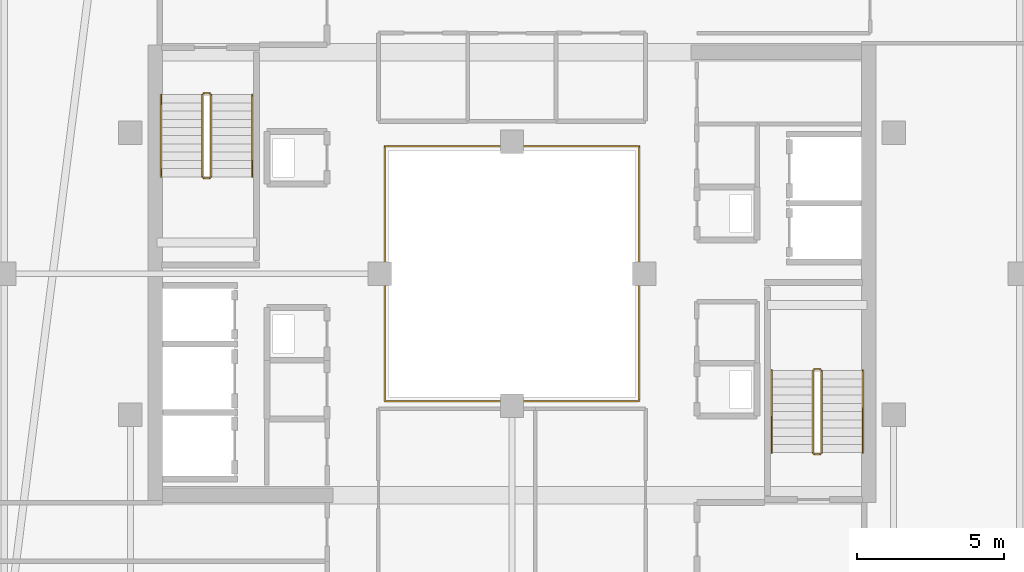
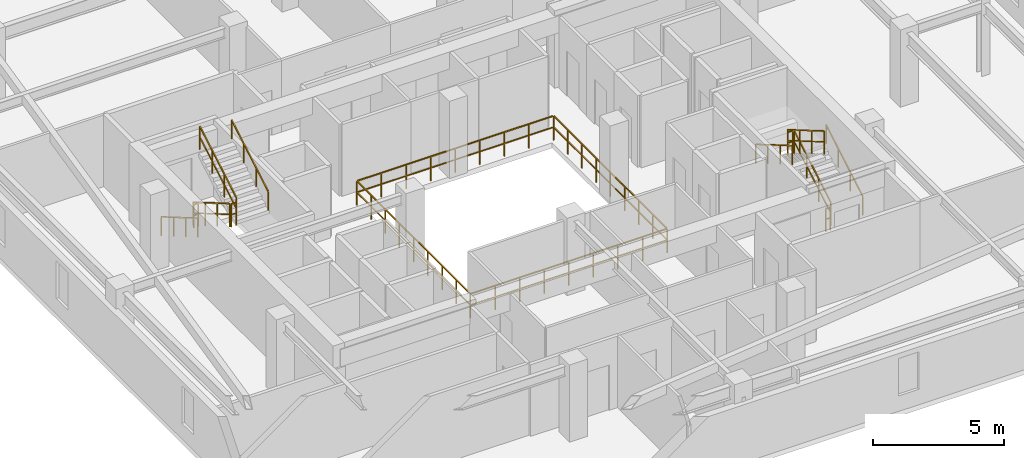
# One storey, part 34 of 35: 13 railings.
"""IFC4 building model written with IfcOpenShell, lengths in metres."""

from ifc_helpers import new_model, si_unit, direction, frame, origin, origin_2d, place, context, subcontext, project, spatial, rectangle, extrude, material, type_object, element, save


model = new_model("IFC4")

# Units and contexts
model_context = context("Model", 3, precision=1e-05, world=origin(), true_north=direction((0.0, 1.0)))
body_context = subcontext(model_context, "Body", "Model", "MODEL_VIEW")
ifc_project = project(units=[si_unit("LENGTHUNIT", "METRE"), si_unit("AREAUNIT", "SQUARE_METRE"), si_unit("VOLUMEUNIT", "CUBIC_METRE"), si_unit("PLANEANGLEUNIT", "RADIAN"), si_unit("MASSUNIT", "GRAM", prefix="KILO")], contexts=[model_context])

# Site, building, storey
site_placement = place(None, origin())
site = spatial("IfcSite", under=ifc_project, at=site_placement, CompositionType="ELEMENT")
building_placement = place(site_placement, origin())
building = spatial("IfcBuilding", under=site, at=building_placement, Name="Thornwick Lancets Civic Towers", CompositionType="ELEMENT")
storey_placement = place(building_placement, frame((0.0, 0.0, 272.699951171875)))
storey = spatial("IfcBuildingStorey", under=building, at=storey_placement, Name="L73", CompositionType="ELEMENT", Elevation=272.699951171875)

# Railings
ifc_material_1 = material(Name="Laminated glass and bronze steel S355", Category="steel")
railing_type_1 = type_object("IfcRailingType", Name="RAIL_ATRIUM_GUARD", PredefinedType="BALUSTRADE", material=ifc_material_1)
railing_1_placement = place(storey_placement, frame((84.159912109375, 22.659912109375, 0.0)))
element("IfcRailing", 1, at=railing_1_placement, inside=storey, type_object=railing_type_1, Name="L73 Tower B Central Atrium Guard Balustrade", PredefinedType="BALUSTRADE", context=body_context, shape_type="SweptSolid", body=[
    extrude(rectangle(XDim=0.048095703125, YDim=0.048095703125, at=origin_2d()), frame((0.0, 0.0, 1.1259765625), z_axis=(1.0, 0.0, 0.0), x_axis=(0.0, 1.0, 0.0)), (0.0, 0.0, 1.0), 8.64892578125),
    extrude(rectangle(XDim=0.0419921875, YDim=0.0419921875, at=origin_2d()), frame((0.03759765625, 0.0, 0.597900390625), z_axis=(1.0, 0.0, 0.0), x_axis=(0.0, 1.0, 0.0)), (0.0, 0.0, 1.0), 1.010009765625),
    extrude(rectangle(XDim=0.0419921875, YDim=0.0419921875, at=origin_2d()), frame((1.12255859375, 0.0, 0.597900390625), z_axis=(1.0, 0.0, 0.0), x_axis=(0.0, 1.0, 0.0)), (0.0, 0.0, 1.0), 1.010009765625),
    extrude(rectangle(XDim=0.0419921875, YDim=0.0419921875, at=origin_2d()), frame((2.20751953125, 0.0, 0.597900390625), z_axis=(1.0, 0.0, 0.0), x_axis=(0.0, 1.0, 0.0)), (0.0, 0.0, 1.0), 1.010009765625),
    extrude(rectangle(XDim=0.0419921875, YDim=0.0419921875, at=origin_2d()), frame((3.29248046875, 0.0, 0.597900390625), z_axis=(1.0, 0.0, 0.0), x_axis=(0.0, 1.0, 0.0)), (0.0, 0.0, 1.0), 1.010009765625),
    extrude(rectangle(XDim=0.0419921875, YDim=0.0419921875, at=origin_2d()), frame((4.377685546875, 0.0, 0.597900390625), z_axis=(1.0, 0.0, 0.0), x_axis=(0.0, 1.0, 0.0)), (0.0, 0.0, 1.0), 1.010009765625),
    extrude(rectangle(XDim=0.0419921875, YDim=0.0419921875, at=origin_2d()), frame((5.462646484375, 0.0, 0.597900390625), z_axis=(1.0, 0.0, 0.0), x_axis=(0.0, 1.0, 0.0)), (0.0, 0.0, 1.0), 1.010009765625),
    extrude(rectangle(XDim=0.0419921875, YDim=0.0419921875, at=origin_2d()), frame((6.547607421875, 0.0, 0.597900390625), z_axis=(1.0, 0.0, 0.0), x_axis=(0.0, 1.0, 0.0)), (0.0, 0.0, 1.0), 1.010009765625),
    extrude(rectangle(XDim=0.0419921875, YDim=0.0419921875, at=origin_2d()), frame((7.632568359375, 0.0, 0.597900390625), z_axis=(1.0, 0.0, 0.0), x_axis=(0.0, 1.0, 0.0)), (0.0, 0.0, 1.0), 1.010009765625),
    extrude(rectangle(XDim=0.048095703125, YDim=0.048095703125, at=origin_2d()), frame((8.68017578125, 0.03125, 1.1259765625), z_axis=(0.0, 1.0, 0.0), x_axis=(-1.0, 0.0, 0.0)), (0.0, 0.0, 1.0), 8.61767578125),
    extrude(rectangle(XDim=0.0419921875, YDim=0.0419921875, at=origin_2d()), frame((8.68017578125, 0.03759765625, 0.597900390625), z_axis=(0.0, 1.0, 0.0), x_axis=(-1.0, 0.0, 0.0)), (0.0, 0.0, 1.0), 1.010009765625),
    extrude(rectangle(XDim=0.0419921875, YDim=0.0419921875, at=origin_2d()), frame((8.68017578125, 1.12255859375, 0.597900390625), z_axis=(0.0, 1.0, 0.0), x_axis=(-1.0, 0.0, 0.0)), (0.0, 0.0, 1.0), 1.010009765625),
    extrude(rectangle(XDim=0.0419921875, YDim=0.0419921875, at=origin_2d()), frame((8.68017578125, 2.20751953125, 0.597900390625), z_axis=(0.0, 1.0, 0.0), x_axis=(-1.0, 0.0, 0.0)), (0.0, 0.0, 1.0), 1.010009765625),
    extrude(rectangle(XDim=0.0419921875, YDim=0.0419921875, at=origin_2d()), frame((8.68017578125, 3.29248046875, 0.597900390625), z_axis=(0.0, 1.0, 0.0), x_axis=(-1.0, 0.0, 0.0)), (0.0, 0.0, 1.0), 1.010009765625),
    extrude(rectangle(XDim=0.0419921875, YDim=0.0419921875, at=origin_2d()), frame((8.68017578125, 4.377685546875, 0.597900390625), z_axis=(0.0, 1.0, 0.0), x_axis=(-1.0, 0.0, 0.0)), (0.0, 0.0, 1.0), 1.010009765625),
    extrude(rectangle(XDim=0.0419921875, YDim=0.0419921875, at=origin_2d()), frame((8.68017578125, 5.462646484375, 0.597900390625), z_axis=(0.0, 1.0, 0.0), x_axis=(-1.0, 0.0, 0.0)), (0.0, 0.0, 1.0), 1.010009765625),
    extrude(rectangle(XDim=0.0419921875, YDim=0.0419921875, at=origin_2d()), frame((8.68017578125, 6.547607421875, 0.597900390625), z_axis=(0.0, 1.0, 0.0), x_axis=(-1.0, 0.0, 0.0)), (0.0, 0.0, 1.0), 1.010009765625),
    extrude(rectangle(XDim=0.0419921875, YDim=0.0419921875, at=origin_2d()), frame((8.68017578125, 7.632568359375, 0.597900390625), z_axis=(0.0, 1.0, 0.0), x_axis=(-1.0, 0.0, 0.0)), (0.0, 0.0, 1.0), 1.010009765625),
    extrude(rectangle(XDim=0.048095703125, YDim=0.048095703125, at=origin_2d()), frame((8.64892578125, 8.68017578125, 1.1259765625), z_axis=(-1.0, 0.0, 0.0), x_axis=(0.0, -1.0, 0.0)), (0.0, 0.0, 1.0), 8.61767578125),
    extrude(rectangle(XDim=0.0419921875, YDim=0.0419921875, at=origin_2d()), frame((8.642578125, 8.68017578125, 0.597900390625), z_axis=(-1.0, 0.0, 0.0), x_axis=(0.0, -1.0, 0.0)), (0.0, 0.0, 1.0), 1.010009765625),
    extrude(rectangle(XDim=0.0419921875, YDim=0.0419921875, at=origin_2d()), frame((7.5576171875, 8.68017578125, 0.597900390625), z_axis=(-1.0, 0.0, 0.0), x_axis=(0.0, -1.0, 0.0)), (0.0, 0.0, 1.0), 1.010009765625),
    extrude(rectangle(XDim=0.0419921875, YDim=0.0419921875, at=origin_2d()), frame((6.47265625, 8.68017578125, 0.597900390625), z_axis=(-1.0, 0.0, 0.0), x_axis=(0.0, -1.0, 0.0)), (0.0, 0.0, 1.0), 1.010009765625),
    extrude(rectangle(XDim=0.0419921875, YDim=0.0419921875, at=origin_2d()), frame((5.3876953125, 8.68017578125, 0.597900390625), z_axis=(-1.0, 0.0, 0.0), x_axis=(0.0, -1.0, 0.0)), (0.0, 0.0, 1.0), 1.010009765625),
    extrude(rectangle(XDim=0.0419921875, YDim=0.0419921875, at=origin_2d()), frame((4.302490234375, 8.68017578125, 0.597900390625), z_axis=(-1.0, 0.0, 0.0), x_axis=(0.0, -1.0, 0.0)), (0.0, 0.0, 1.0), 1.010009765625),
    extrude(rectangle(XDim=0.0419921875, YDim=0.0419921875, at=origin_2d()), frame((3.217529296875, 8.68017578125, 0.597900390625), z_axis=(-1.0, 0.0, 0.0), x_axis=(0.0, -1.0, 0.0)), (0.0, 0.0, 1.0), 1.010009765625),
    extrude(rectangle(XDim=0.0419921875, YDim=0.0419921875, at=origin_2d()), frame((2.132568359375, 8.68017578125, 0.597900390625), z_axis=(-1.0, 0.0, 0.0), x_axis=(0.0, -1.0, 0.0)), (0.0, 0.0, 1.0), 1.010009765625),
    extrude(rectangle(XDim=0.0419921875, YDim=0.0419921875, at=origin_2d()), frame((1.047607421875, 8.68017578125, 0.597900390625), z_axis=(-1.0, 0.0, 0.0), x_axis=(0.0, -1.0, 0.0)), (0.0, 0.0, 1.0), 1.010009765625),
    extrude(rectangle(XDim=0.048095703125, YDim=0.048095703125, at=origin_2d()), frame((0.0, 8.64892578125, 1.1259765625), z_axis=(0.0, -1.0, 0.0), x_axis=(1.0, 0.0, 0.0)), (0.0, 0.0, 1.0), 8.64892578125),
    extrude(rectangle(XDim=0.0419921875, YDim=0.0419921875, at=origin_2d()), frame((0.0, 8.642578125, 0.597900390625), z_axis=(0.0, -1.0, 0.0), x_axis=(1.0, 0.0, 0.0)), (0.0, 0.0, 1.0), 1.010009765625),
    extrude(rectangle(XDim=0.0419921875, YDim=0.0419921875, at=origin_2d()), frame((0.0, 7.5576171875, 0.597900390625), z_axis=(0.0, -1.0, 0.0), x_axis=(1.0, 0.0, 0.0)), (0.0, 0.0, 1.0), 1.010009765625),
    extrude(rectangle(XDim=0.0419921875, YDim=0.0419921875, at=origin_2d()), frame((0.0, 6.47265625, 0.597900390625), z_axis=(0.0, -1.0, 0.0), x_axis=(1.0, 0.0, 0.0)), (0.0, 0.0, 1.0), 1.010009765625),
    extrude(rectangle(XDim=0.0419921875, YDim=0.0419921875, at=origin_2d()), frame((0.0, 5.3876953125, 0.597900390625), z_axis=(0.0, -1.0, 0.0), x_axis=(1.0, 0.0, 0.0)), (0.0, 0.0, 1.0), 1.010009765625),
    extrude(rectangle(XDim=0.0419921875, YDim=0.0419921875, at=origin_2d()), frame((0.0, 4.302490234375, 0.597900390625), z_axis=(0.0, -1.0, 0.0), x_axis=(1.0, 0.0, 0.0)), (0.0, 0.0, 1.0), 1.010009765625),
    extrude(rectangle(XDim=0.0419921875, YDim=0.0419921875, at=origin_2d()), frame((0.0, 3.217529296875, 0.597900390625), z_axis=(0.0, -1.0, 0.0), x_axis=(1.0, 0.0, 0.0)), (0.0, 0.0, 1.0), 1.010009765625),
    extrude(rectangle(XDim=0.0419921875, YDim=0.0419921875, at=origin_2d()), frame((0.0, 2.132568359375, 0.597900390625), z_axis=(0.0, -1.0, 0.0), x_axis=(1.0, 0.0, 0.0)), (0.0, 0.0, 1.0), 1.010009765625),
    extrude(rectangle(XDim=0.0419921875, YDim=0.0419921875, at=origin_2d()), frame((0.0, 1.047607421875, 0.597900390625), z_axis=(0.0, -1.0, 0.0), x_axis=(1.0, 0.0, 0.0)), (0.0, 0.0, 1.0), 1.010009765625),
    extrude(rectangle(XDim=0.0419921875, YDim=0.0419921875, at=origin_2d()), origin(), (0.0, 0.0, 1.0), 1.095703125),
    extrude(rectangle(XDim=0.0419921875, YDim=0.0419921875, at=origin_2d()), frame((1.0849609375, 0.0, 0.0)), (0.0, 0.0, 1.0), 1.095703125),
    extrude(rectangle(XDim=0.0419921875, YDim=0.0419921875, at=origin_2d()), frame((2.169921875, 0.0, 0.0)), (0.0, 0.0, 1.0), 1.095703125),
    extrude(rectangle(XDim=0.0419921875, YDim=0.0419921875, at=origin_2d()), frame((3.255126953125, 0.0, 0.0)), (0.0, 0.0, 1.0), 1.095703125),
    extrude(rectangle(XDim=0.0419921875, YDim=0.0419921875, at=origin_2d()), frame((4.340087890625, 0.0, 0.0)), (0.0, 0.0, 1.0), 1.095703125),
    extrude(rectangle(XDim=0.0419921875, YDim=0.0419921875, at=origin_2d()), frame((5.425048828125, 0.0, 0.0)), (0.0, 0.0, 1.0), 1.095703125),
    extrude(rectangle(XDim=0.0419921875, YDim=0.0419921875, at=origin_2d()), frame((6.51025390625, 0.0, 0.0)), (0.0, 0.0, 1.0), 1.095703125),
    extrude(rectangle(XDim=0.0419921875, YDim=0.0419921875, at=origin_2d()), frame((7.59521484375, 0.0, 0.0)), (0.0, 0.0, 1.0), 1.095703125),
    extrude(rectangle(XDim=0.0419921875, YDim=0.0419921875, at=origin_2d()), frame((8.68017578125, 0.0, 0.0)), (0.0, 0.0, 1.0), 1.095703125),
    extrude(rectangle(XDim=0.0419921875, YDim=0.0419921875, at=origin_2d()), frame((8.68017578125, 1.0849609375, 0.0)), (0.0, 0.0, 1.0), 1.095703125),
    extrude(rectangle(XDim=0.0419921875, YDim=0.0419921875, at=origin_2d()), frame((8.68017578125, 2.169921875, 0.0)), (0.0, 0.0, 1.0), 1.095703125),
    extrude(rectangle(XDim=0.0419921875, YDim=0.0419921875, at=origin_2d()), frame((8.68017578125, 3.255126953125, 0.0)), (0.0, 0.0, 1.0), 1.095703125),
    extrude(rectangle(XDim=0.0419921875, YDim=0.0419921875, at=origin_2d()), frame((8.68017578125, 4.340087890625, 0.0)), (0.0, 0.0, 1.0), 1.095703125),
    extrude(rectangle(XDim=0.0419921875, YDim=0.0419921875, at=origin_2d()), frame((8.68017578125, 5.425048828125, 0.0)), (0.0, 0.0, 1.0), 1.095703125),
    extrude(rectangle(XDim=0.0419921875, YDim=0.0419921875, at=origin_2d()), frame((8.68017578125, 6.51025390625, 0.0)), (0.0, 0.0, 1.0), 1.095703125),
    extrude(rectangle(XDim=0.0419921875, YDim=0.0419921875, at=origin_2d()), frame((8.68017578125, 7.59521484375, 0.0)), (0.0, 0.0, 1.0), 1.095703125),
    extrude(rectangle(XDim=0.0419921875, YDim=0.0419921875, at=origin_2d()), frame((8.68017578125, 8.68017578125, 0.0)), (0.0, 0.0, 1.0), 1.095703125),
    extrude(rectangle(XDim=0.0419921875, YDim=0.0419921875, at=origin_2d()), frame((7.59521484375, 8.68017578125, 0.0)), (0.0, 0.0, 1.0), 1.095703125),
    extrude(rectangle(XDim=0.0419921875, YDim=0.0419921875, at=origin_2d()), frame((6.51025390625, 8.68017578125, 0.0)), (0.0, 0.0, 1.0), 1.095703125),
    extrude(rectangle(XDim=0.0419921875, YDim=0.0419921875, at=origin_2d()), frame((5.425048828125, 8.68017578125, 0.0)), (0.0, 0.0, 1.0), 1.095703125),
    extrude(rectangle(XDim=0.0419921875, YDim=0.0419921875, at=origin_2d()), frame((4.340087890625, 8.68017578125, 0.0)), (0.0, 0.0, 1.0), 1.095703125),
    extrude(rectangle(XDim=0.0419921875, YDim=0.0419921875, at=origin_2d()), frame((3.255126953125, 8.68017578125, 0.0)), (0.0, 0.0, 1.0), 1.095703125),
    extrude(rectangle(XDim=0.0419921875, YDim=0.0419921875, at=origin_2d()), frame((2.169921875, 8.68017578125, 0.0)), (0.0, 0.0, 1.0), 1.095703125),
    extrude(rectangle(XDim=0.0419921875, YDim=0.0419921875, at=origin_2d()), frame((1.0849609375, 8.68017578125, 0.0)), (0.0, 0.0, 1.0), 1.095703125),
    extrude(rectangle(XDim=0.0419921875, YDim=0.0419921875, at=origin_2d()), frame((0.0, 8.68017578125, 0.0)), (0.0, 0.0, 1.0), 1.095703125),
    extrude(rectangle(XDim=0.0419921875, YDim=0.0419921875, at=origin_2d()), frame((0.0, 7.59521484375, 0.0)), (0.0, 0.0, 1.0), 1.095703125),
    extrude(rectangle(XDim=0.0419921875, YDim=0.0419921875, at=origin_2d()), frame((0.0, 6.51025390625, 0.0)), (0.0, 0.0, 1.0), 1.095703125),
    extrude(rectangle(XDim=0.0419921875, YDim=0.0419921875, at=origin_2d()), frame((0.0, 5.425048828125, 0.0)), (0.0, 0.0, 1.0), 1.095703125),
    extrude(rectangle(XDim=0.0419921875, YDim=0.0419921875, at=origin_2d()), frame((0.0, 4.340087890625, 0.0)), (0.0, 0.0, 1.0), 1.095703125),
    extrude(rectangle(XDim=0.0419921875, YDim=0.0419921875, at=origin_2d()), frame((0.0, 3.255126953125, 0.0)), (0.0, 0.0, 1.0), 1.095703125),
    extrude(rectangle(XDim=0.0419921875, YDim=0.0419921875, at=origin_2d()), frame((0.0, 2.169921875, 0.0)), (0.0, 0.0, 1.0), 1.095703125),
    extrude(rectangle(XDim=0.0419921875, YDim=0.0419921875, at=origin_2d()), frame((0.0, 1.0849609375, 0.0)), (0.0, 0.0, 1.0), 1.095703125),
])
ifc_material_2 = material(Name="Brushed stainless steel S355", Category="steel")
railing_type_2 = type_object("IfcRailingType", Name="RAIL_HANDRAIL", PredefinedType="HANDRAIL", material=ifc_material_2)
railing_2_placement = place(storey_placement, frame((100.449951171875, 20.89990234375, 0.16357421875)))
element("IfcRailing", 2, at=railing_2_placement, inside=storey, type_object=railing_type_2, Name="L73 ST-B1 stair handrail 1", PredefinedType="HANDRAIL", context=body_context, shape_type="SweptSolid", body=[
    extrude(rectangle(XDim=0.048095703125, YDim=0.048095703125, at=origin_2d()), frame((0.0, 0.0, 0.8857421875), z_axis=(0.0, 0.863360870873, 0.504586966384), x_axis=(-1.0, 0.0, 0.0)), (0.0, 0.0, 1.0), 3.2431640625),
    extrude(rectangle(XDim=0.0419921875, YDim=0.0419921875, at=origin_2d()), origin(), (0.0, 0.0, 1.0), 0.855712890625),
    extrude(rectangle(XDim=0.0419921875, YDim=0.0419921875, at=origin_2d()), frame((0.0, 0.933349609375, 0.54541015625)), (0.0, 0.0, 1.0), 0.855712890625),
    extrude(rectangle(XDim=0.0419921875, YDim=0.0419921875, at=origin_2d()), frame((0.0, 1.86669921875, 1.091064453125)), (0.0, 0.0, 1.0), 0.855712890625),
    extrude(rectangle(XDim=0.0419921875, YDim=0.0419921875, at=origin_2d()), frame((0.0, 2.800048828125, 1.636474609375)), (0.0, 0.0, 1.0), 0.855712890625),
])
for number, where, name in (
    (3, (97.35009765625, 23.699951171875, 1.963623046875), "L73 ST-B1 stair handrail 2"),
    (4, (76.550048828125, 33.10009765625, 0.16357421875), "L73 ST-B2 stair handrail 1"),
):
    element("IfcRailing", number, at=place(storey_placement, frame(where)), inside=storey, type_object=railing_type_2, Name=name, PredefinedType="HANDRAIL", context=body_context, shape_type="SweptSolid", body=[
        extrude(rectangle(XDim=0.048095703125, YDim=0.048095703125, at=origin_2d()), frame((0.0, 0.0, 0.8857421875), z_axis=(0.0, -0.863360870873, 0.504586966384), x_axis=(1.0, 0.0, 0.0)), (0.0, 0.0, 1.0), 3.2431640625),
        extrude(rectangle(XDim=0.0419921875, YDim=0.0419921875, at=origin_2d()), origin(), (0.0, 0.0, 1.0), 0.855712890625),
        extrude(rectangle(XDim=0.0419921875, YDim=0.0419921875, at=origin_2d()), frame((0.0, -0.933349609375, 0.54541015625)), (0.0, 0.0, 1.0), 0.855712890625),
        extrude(rectangle(XDim=0.0419921875, YDim=0.0419921875, at=origin_2d()), frame((0.0, -1.86669921875, 1.091064453125)), (0.0, 0.0, 1.0), 0.855712890625),
        extrude(rectangle(XDim=0.0419921875, YDim=0.0419921875, at=origin_2d()), frame((0.0, -2.800048828125, 1.636474609375)), (0.0, 0.0, 1.0), 0.855712890625),
    ])
railing_3_placement = place(storey_placement, frame((79.64990234375, 30.300048828125, 1.963623046875)))
element("IfcRailing", 5, at=railing_3_placement, inside=storey, type_object=railing_type_2, Name="L73 ST-B2 stair handrail 2", PredefinedType="HANDRAIL", context=body_context, shape_type="SweptSolid", body=[
    extrude(rectangle(XDim=0.048095703125, YDim=0.048095703125, at=origin_2d()), frame((0.0, 0.0, 0.8857421875), z_axis=(0.0, 0.863360870873, 0.504586966384), x_axis=(-1.0, 0.0, 0.0)), (0.0, 0.0, 1.0), 3.2431640625),
    extrude(rectangle(XDim=0.0419921875, YDim=0.0419921875, at=origin_2d()), origin(), (0.0, 0.0, 1.0), 0.855712890625),
    extrude(rectangle(XDim=0.0419921875, YDim=0.0419921875, at=origin_2d()), frame((0.0, 0.933349609375, 0.54541015625)), (0.0, 0.0, 1.0), 0.855712890625),
    extrude(rectangle(XDim=0.0419921875, YDim=0.0419921875, at=origin_2d()), frame((0.0, 1.86669921875, 1.091064453125)), (0.0, 0.0, 1.0), 0.855712890625),
    extrude(rectangle(XDim=0.0419921875, YDim=0.0419921875, at=origin_2d()), frame((0.0, 2.800048828125, 1.636474609375)), (0.0, 0.0, 1.0), 0.855712890625),
])
ifc_material_3 = material(Name="Steel S355JR", Category="steel")
railing_type_3 = type_object("IfcRailingType", Name="RAIL_STAIR_GUARD", PredefinedType="GUARDRAIL", material=ifc_material_3)
railing_4_placement = place(storey_placement, frame((99.050048828125, 20.89990234375, 0.16357421875)))
element("IfcRailing", 6, at=railing_4_placement, inside=storey, type_object=railing_type_3, Name="L73 ST-B1 stair guard 1", PredefinedType="GUARDRAIL", context=body_context, shape_type="SweptSolid", body=[
    extrude(rectangle(XDim=0.048095703125, YDim=0.048095703125, at=origin_2d()), frame((0.0, 0.0, 1.076171875), z_axis=(0.0, 0.863360870873, 0.504586966384), x_axis=(-1.0, 0.0, 0.0)), (0.0, 0.0, 1.0), 3.2431640625),
    extrude(rectangle(XDim=0.0419921875, YDim=0.0419921875, at=origin_2d()), frame((0.0, 0.032470703125, 0.591064453125), z_axis=(0.0, 0.863360870873, 0.504586966384), x_axis=(-1.0, 0.0, 0.0)), (0.0, 0.0, 1.0), 1.006103515625),
    extrude(rectangle(XDim=0.0419921875, YDim=0.0419921875, at=origin_2d()), frame((0.0, 0.9658203125, 1.136474609375), z_axis=(0.0, 0.863360870873, 0.504586966384), x_axis=(-1.0, 0.0, 0.0)), (0.0, 0.0, 1.0), 1.006103515625),
    extrude(rectangle(XDim=0.0419921875, YDim=0.0419921875, at=origin_2d()), frame((0.0, 1.899169921875, 1.681884765625), z_axis=(0.0, 0.863360870873, 0.504586966384), x_axis=(-1.0, 0.0, 0.0)), (0.0, 0.0, 1.0), 1.006103515625),
    extrude(rectangle(XDim=0.0419921875, YDim=0.0419921875, at=origin_2d()), origin(), (0.0, 0.0, 1.0), 1.0458984375),
    extrude(rectangle(XDim=0.0419921875, YDim=0.0419921875, at=origin_2d()), frame((0.0, 0.933349609375, 0.54541015625)), (0.0, 0.0, 1.0), 1.0458984375),
    extrude(rectangle(XDim=0.0419921875, YDim=0.0419921875, at=origin_2d()), frame((0.0, 1.86669921875, 1.091064453125)), (0.0, 0.0, 1.0), 1.0458984375),
    extrude(rectangle(XDim=0.0419921875, YDim=0.0419921875, at=origin_2d()), frame((0.0, 2.800048828125, 1.636474609375)), (0.0, 0.0, 1.0), 1.0458984375),
])
railing_5_placement = place(storey_placement, frame((99.0, 23.75, 1.800048828125)))
element("IfcRailing", 7, at=railing_5_placement, inside=storey, type_object=railing_type_3, Name="L73 ST-B1 stair guard 2", PredefinedType="GUARDRAIL", context=body_context, shape_type="SweptSolid", body=[
    extrude(rectangle(XDim=0.048095703125, YDim=0.048095703125, at=origin_2d()), frame((0.0, 0.0, 1.076171875), z_axis=(-1.0, 0.0, 0.0), x_axis=(0.0, -1.0, 0.0)), (0.0, 0.0, 1.0), 0.199951171875),
    extrude(rectangle(XDim=0.0419921875, YDim=0.0419921875, at=origin_2d()), frame((-0.03759765625, 0.0, 0.572021484375), z_axis=(-1.0, 0.0, 0.0), x_axis=(0.0, -1.0, 0.0)), (0.0, 0.0, 1.0), 0.125),
    extrude(rectangle(XDim=0.0419921875, YDim=0.0419921875, at=origin_2d()), origin(), (0.0, 0.0, 1.0), 1.0458984375),
    extrude(rectangle(XDim=0.0419921875, YDim=0.0419921875, at=origin_2d()), frame((-0.199951171875, 0.0, 0.0)), (0.0, 0.0, 1.0), 1.0458984375),
])
railing_6_placement = place(storey_placement, frame((98.75, 23.699951171875, 1.963623046875)))
element("IfcRailing", 8, at=railing_6_placement, inside=storey, type_object=railing_type_3, Name="L73 ST-B1 stair guard 3", PredefinedType="GUARDRAIL", context=body_context, shape_type="SweptSolid", body=[
    extrude(rectangle(XDim=0.048095703125, YDim=0.048095703125, at=origin_2d()), frame((0.0, 0.0, 1.076171875), z_axis=(0.0, -0.863360870873, 0.504586966384), x_axis=(1.0, 0.0, 0.0)), (0.0, 0.0, 1.0), 3.2431640625),
    extrude(rectangle(XDim=0.0419921875, YDim=0.0419921875, at=origin_2d()), frame((0.0, -0.032470703125, 0.591064453125), z_axis=(0.0, -0.863360870873, 0.504586966384), x_axis=(1.0, 0.0, 0.0)), (0.0, 0.0, 1.0), 1.006103515625),
    extrude(rectangle(XDim=0.0419921875, YDim=0.0419921875, at=origin_2d()), frame((0.0, -0.9658203125, 1.136474609375), z_axis=(0.0, -0.863360870873, 0.504586966384), x_axis=(1.0, 0.0, 0.0)), (0.0, 0.0, 1.0), 1.006103515625),
    extrude(rectangle(XDim=0.0419921875, YDim=0.0419921875, at=origin_2d()), frame((0.0, -1.899169921875, 1.681884765625), z_axis=(0.0, -0.863360870873, 0.504586966384), x_axis=(1.0, 0.0, 0.0)), (0.0, 0.0, 1.0), 1.006103515625),
    extrude(rectangle(XDim=0.0419921875, YDim=0.0419921875, at=origin_2d()), origin(), (0.0, 0.0, 1.0), 1.0458984375),
    extrude(rectangle(XDim=0.0419921875, YDim=0.0419921875, at=origin_2d()), frame((0.0, -0.933349609375, 0.54541015625)), (0.0, 0.0, 1.0), 1.0458984375),
    extrude(rectangle(XDim=0.0419921875, YDim=0.0419921875, at=origin_2d()), frame((0.0, -1.86669921875, 1.091064453125)), (0.0, 0.0, 1.0), 1.0458984375),
    extrude(rectangle(XDim=0.0419921875, YDim=0.0419921875, at=origin_2d()), frame((0.0, -2.800048828125, 1.636474609375)), (0.0, 0.0, 1.0), 1.0458984375),
])
railing_7_placement = place(storey_placement, frame((99.0, 20.85009765625, 0.0)))
element("IfcRailing", 9, at=railing_7_placement, inside=storey, type_object=railing_type_3, Name="L73 ST-B1 stair guard 4", PredefinedType="GUARDRAIL", context=body_context, shape_type="SweptSolid", body=[
    extrude(rectangle(XDim=0.048095703125, YDim=0.048095703125, at=origin_2d()), frame((0.0, 0.0, 1.076171875), z_axis=(-1.0, 0.0, 0.0), x_axis=(0.0, -1.0, 0.0)), (0.0, 0.0, 1.0), 0.199951171875),
    extrude(rectangle(XDim=0.0419921875, YDim=0.0419921875, at=origin_2d()), frame((-0.03759765625, 0.0, 0.572021484375), z_axis=(-1.0, 0.0, 0.0), x_axis=(0.0, -1.0, 0.0)), (0.0, 0.0, 1.0), 0.125),
    extrude(rectangle(XDim=0.0419921875, YDim=0.0419921875, at=origin_2d()), origin(), (0.0, 0.0, 1.0), 1.0458984375),
    extrude(rectangle(XDim=0.0419921875, YDim=0.0419921875, at=origin_2d()), frame((-0.199951171875, 0.0, 0.0)), (0.0, 0.0, 1.0), 1.0458984375),
])
railing_8_placement = place(storey_placement, frame((77.949951171875, 33.10009765625, 0.16357421875)))
element("IfcRailing", 10, at=railing_8_placement, inside=storey, type_object=railing_type_3, Name="L73 ST-B2 stair guard 1", PredefinedType="GUARDRAIL", context=body_context, shape_type="SweptSolid", body=[
    extrude(rectangle(XDim=0.048095703125, YDim=0.048095703125, at=origin_2d()), frame((0.0, 0.0, 1.076171875), z_axis=(0.0, -0.863360870873, 0.504586966384), x_axis=(1.0, 0.0, 0.0)), (0.0, 0.0, 1.0), 3.2431640625),
    extrude(rectangle(XDim=0.0419921875, YDim=0.0419921875, at=origin_2d()), frame((0.0, -0.032470703125, 0.591064453125), z_axis=(0.0, -0.863360870873, 0.504586966384), x_axis=(1.0, 0.0, 0.0)), (0.0, 0.0, 1.0), 1.006103515625),
    extrude(rectangle(XDim=0.0419921875, YDim=0.0419921875, at=origin_2d()), frame((0.0, -0.9658203125, 1.136474609375), z_axis=(0.0, -0.863360870873, 0.504586966384), x_axis=(1.0, 0.0, 0.0)), (0.0, 0.0, 1.0), 1.006103515625),
    extrude(rectangle(XDim=0.0419921875, YDim=0.0419921875, at=origin_2d()), frame((0.0, -1.899169921875, 1.681884765625), z_axis=(0.0, -0.863360870873, 0.504586966384), x_axis=(1.0, 0.0, 0.0)), (0.0, 0.0, 1.0), 1.006103515625),
    extrude(rectangle(XDim=0.0419921875, YDim=0.0419921875, at=origin_2d()), origin(), (0.0, 0.0, 1.0), 1.0458984375),
    extrude(rectangle(XDim=0.0419921875, YDim=0.0419921875, at=origin_2d()), frame((0.0, -0.933349609375, 0.54541015625)), (0.0, 0.0, 1.0), 1.0458984375),
    extrude(rectangle(XDim=0.0419921875, YDim=0.0419921875, at=origin_2d()), frame((0.0, -1.86669921875, 1.091064453125)), (0.0, 0.0, 1.0), 1.0458984375),
    extrude(rectangle(XDim=0.0419921875, YDim=0.0419921875, at=origin_2d()), frame((0.0, -2.800048828125, 1.636474609375)), (0.0, 0.0, 1.0), 1.0458984375),
])
railing_9_placement = place(storey_placement, frame((78.0, 30.25, 1.800048828125)))
element("IfcRailing", 11, at=railing_9_placement, inside=storey, type_object=railing_type_3, Name="L73 ST-B2 stair guard 2", PredefinedType="GUARDRAIL", context=body_context, shape_type="SweptSolid", body=[
    extrude(rectangle(XDim=0.048095703125, YDim=0.048095703125, at=origin_2d()), frame((0.0, 0.0, 1.076171875), z_axis=(1.0, 0.0, 0.0), x_axis=(0.0, 1.0, 0.0)), (0.0, 0.0, 1.0), 0.199951171875),
    extrude(rectangle(XDim=0.0419921875, YDim=0.0419921875, at=origin_2d()), frame((0.03759765625, 0.0, 0.572021484375), z_axis=(1.0, 0.0, 0.0), x_axis=(0.0, 1.0, 0.0)), (0.0, 0.0, 1.0), 0.125),
    extrude(rectangle(XDim=0.0419921875, YDim=0.0419921875, at=origin_2d()), origin(), (0.0, 0.0, 1.0), 1.0458984375),
    extrude(rectangle(XDim=0.0419921875, YDim=0.0419921875, at=origin_2d()), frame((0.199951171875, 0.0, 0.0)), (0.0, 0.0, 1.0), 1.0458984375),
])
railing_10_placement = place(storey_placement, frame((78.25, 30.300048828125, 1.963623046875)))
element("IfcRailing", 12, at=railing_10_placement, inside=storey, type_object=railing_type_3, Name="L73 ST-B2 stair guard 3", PredefinedType="GUARDRAIL", context=body_context, shape_type="SweptSolid", body=[
    extrude(rectangle(XDim=0.048095703125, YDim=0.048095703125, at=origin_2d()), frame((0.0, 0.0, 1.076171875), z_axis=(0.0, 0.863360870873, 0.504586966384), x_axis=(-1.0, 0.0, 0.0)), (0.0, 0.0, 1.0), 3.2431640625),
    extrude(rectangle(XDim=0.0419921875, YDim=0.0419921875, at=origin_2d()), frame((0.0, 0.032470703125, 0.591064453125), z_axis=(0.0, 0.863360870873, 0.504586966384), x_axis=(-1.0, 0.0, 0.0)), (0.0, 0.0, 1.0), 1.006103515625),
    extrude(rectangle(XDim=0.0419921875, YDim=0.0419921875, at=origin_2d()), frame((0.0, 0.9658203125, 1.136474609375), z_axis=(0.0, 0.863360870873, 0.504586966384), x_axis=(-1.0, 0.0, 0.0)), (0.0, 0.0, 1.0), 1.006103515625),
    extrude(rectangle(XDim=0.0419921875, YDim=0.0419921875, at=origin_2d()), frame((0.0, 1.899169921875, 1.681884765625), z_axis=(0.0, 0.863360870873, 0.504586966384), x_axis=(-1.0, 0.0, 0.0)), (0.0, 0.0, 1.0), 1.006103515625),
    extrude(rectangle(XDim=0.0419921875, YDim=0.0419921875, at=origin_2d()), origin(), (0.0, 0.0, 1.0), 1.0458984375),
    extrude(rectangle(XDim=0.0419921875, YDim=0.0419921875, at=origin_2d()), frame((0.0, 0.933349609375, 0.54541015625)), (0.0, 0.0, 1.0), 1.0458984375),
    extrude(rectangle(XDim=0.0419921875, YDim=0.0419921875, at=origin_2d()), frame((0.0, 1.86669921875, 1.091064453125)), (0.0, 0.0, 1.0), 1.0458984375),
    extrude(rectangle(XDim=0.0419921875, YDim=0.0419921875, at=origin_2d()), frame((0.0, 2.800048828125, 1.636474609375)), (0.0, 0.0, 1.0), 1.0458984375),
])
railing_11_placement = place(storey_placement, frame((78.0, 33.14990234375, 0.0)))
element("IfcRailing", 13, at=railing_11_placement, inside=storey, type_object=railing_type_3, Name="L73 ST-B2 stair guard 4", PredefinedType="GUARDRAIL", context=body_context, shape_type="SweptSolid", body=[
    extrude(rectangle(XDim=0.048095703125, YDim=0.048095703125, at=origin_2d()), frame((0.0, 0.0, 1.076171875), z_axis=(1.0, 0.0, 0.0), x_axis=(0.0, 1.0, 0.0)), (0.0, 0.0, 1.0), 0.199951171875),
    extrude(rectangle(XDim=0.0419921875, YDim=0.0419921875, at=origin_2d()), frame((0.03759765625, 0.0, 0.572021484375), z_axis=(1.0, 0.0, 0.0), x_axis=(0.0, 1.0, 0.0)), (0.0, 0.0, 1.0), 0.125),
    extrude(rectangle(XDim=0.0419921875, YDim=0.0419921875, at=origin_2d()), origin(), (0.0, 0.0, 1.0), 1.0458984375),
    extrude(rectangle(XDim=0.0419921875, YDim=0.0419921875, at=origin_2d()), frame((0.199951171875, 0.0, 0.0)), (0.0, 0.0, 1.0), 1.0458984375),
])

save(model, "model.ifc")
